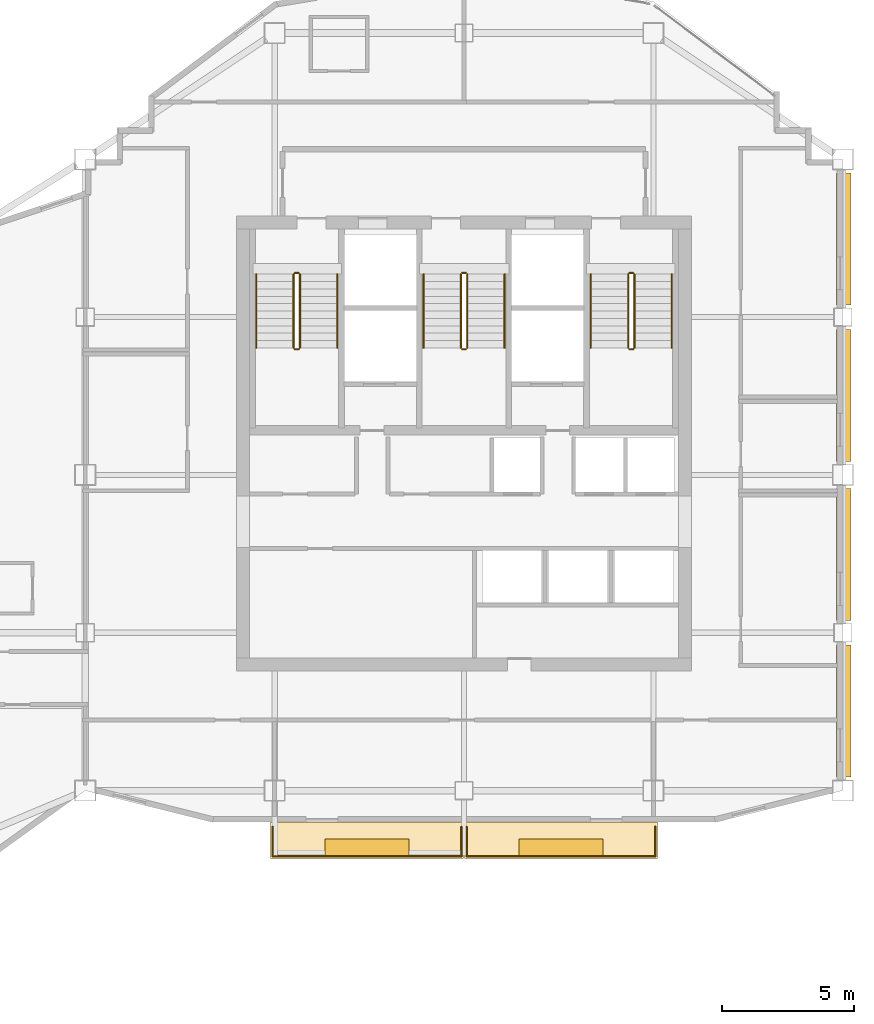
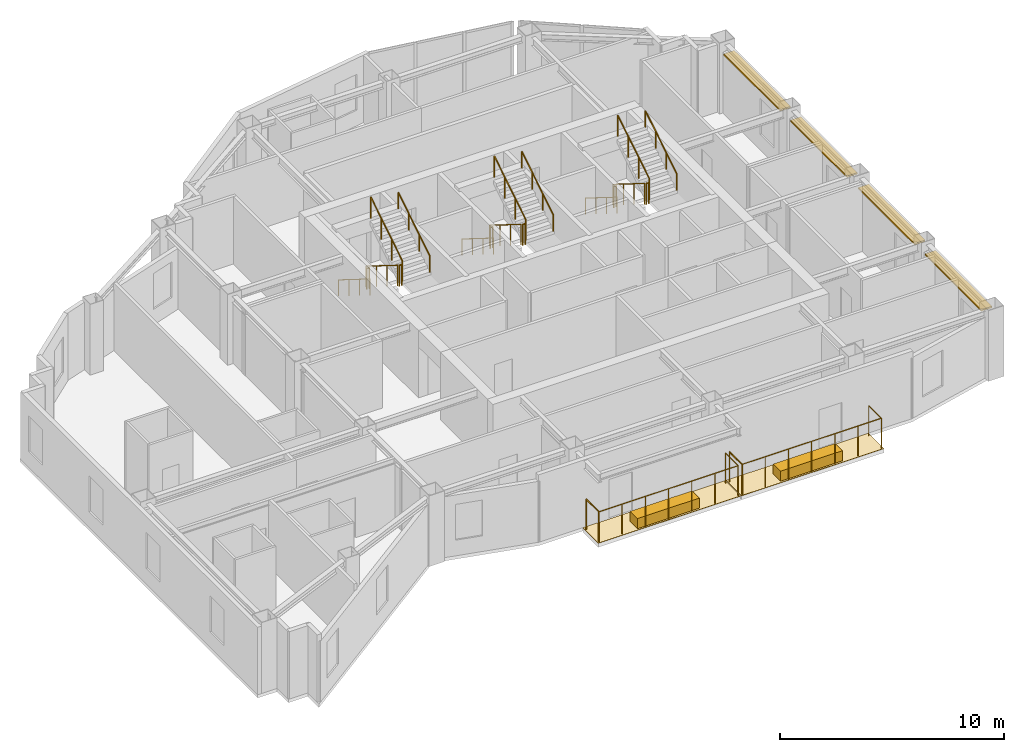
# One storey, part 9 of 9: 22 railings, 4 coverings, 4 shading devices.
"""IFC4 building model written with IfcOpenShell, lengths in metres."""

from ifc_helpers import new_model, si_unit, direction, frame, origin, origin_2d, place, context, subcontext, project, spatial, polyline, rectangle, circle, outline, extrude, material, layer, layer_set, type_object, element, save


model = new_model("IFC4")

# Units and contexts
model_context = context("Model", 3, precision=1e-05, world=origin(), true_north=direction((0.0, 1.0)))
body_context = subcontext(model_context, "Body", "Model", "MODEL_VIEW")
ifc_project = project(units=[si_unit("LENGTHUNIT", "METRE"), si_unit("AREAUNIT", "SQUARE_METRE"), si_unit("VOLUMEUNIT", "CUBIC_METRE"), si_unit("PLANEANGLEUNIT", "RADIAN"), si_unit("MASSUNIT", "GRAM", prefix="KILO")], contexts=[model_context])

# Site, building, storey
site_placement = place(None, origin())
site = spatial("IfcSite", under=ifc_project, at=site_placement, CompositionType="ELEMENT")
building_placement = place(site_placement, origin())
building = spatial("IfcBuilding", under=site, at=building_placement, Name="Haolan Belvedere Tower", CompositionType="ELEMENT")
storey_placement = place(building_placement, frame((0.0, 0.0, 239.050048828125)))
storey = spatial("IfcBuildingStorey", under=building, at=storey_placement, Name="L60", CompositionType="ELEMENT", Elevation=239.050048828125)

# Coverings
ifc_material_1 = material(Name="Engineered lightweight planted garden soil substrate", Category="masonry")
ifc_layer_1 = layer(ifc_material_1, 0.550048828125, Name="Engineered lightweight planted garden soil substrate")
ifc_layer_set_1 = layer_set([ifc_layer_1], Name="Engineered lightweight planted garden soil substrate")
covering_type_1 = type_object("IfcCoveringType", Name="COV-PLANT-550", PredefinedType="MEMBRANE", material=ifc_layer_set_1)
for number, where, z_axis, x_axis, name in (
    (1, (34.715087890625, 19.43994140625, 0.0), (0.0, 0.0, 1.0), (1.0, 0.0, 0.0), "L60 structural tree balcony PLANTER box 1"),
    (2, (42.0849609375, 19.43994140625, 0.0), (0.0, 0.0, 1.0), (1.0, 0.0, 0.0), "L60 structural tree balcony PLANTER box 2"),
):
    element("IfcCovering", number, at=place(storey_placement, frame(where, z_axis=z_axis, x_axis=x_axis)), inside=storey, type_object=covering_type_1, Name=name, PredefinedType="MEMBRANE", context=body_context, shape_type="SweptSolid", body=[
        extrude(rectangle(XDim=3.199951171875, YDim=0.64990234375, at=origin_2d()), origin(), (0.0, 0.0, 1.0), 0.550048828125),
    ])
ifc_material_2 = material(Name="Elastomeric waterproof roofing membrane and stone pavers", Category="masonry")
ifc_layer_2 = layer(ifc_material_2, 0.02001953125, Name="Elastomeric waterproof roofing membrane and stone pavers")
ifc_layer_set_2 = layer_set([ifc_layer_2], Name="Elastomeric waterproof roofing membrane and stone pavers")
covering_type_2 = type_object("IfcCoveringType", Name="COV-ROOF-20", PredefinedType="ROOFING", material=ifc_layer_set_2)
covering_1_placement = place(storey_placement, frame((0.0, 0.0, -0.02001953125)))
element("IfcCovering", 3, at=covering_1_placement, inside=storey, type_object=covering_type_2, Name="L60 tree-balcony waterproof membrane 1", PredefinedType="ROOFING", context=body_context, shape_type="SweptSolid", body=[
    extrude(outline(polyline([(31.050048828125, 19.02001953125), (38.3798828125, 19.02001953125), (38.3798828125, 20.39990234375), (31.050048828125, 20.39990234375), (31.050048828125, 19.02001953125)])), origin(), (0.0, 0.0, 1.0), 0.02001953125),
])
covering_2_placement = place(storey_placement, frame((0.0, 0.0, -0.02001953125)))
element("IfcCovering", 4, at=covering_2_placement, inside=storey, type_object=covering_type_2, Name="L60 tree-balcony waterproof membrane 2", PredefinedType="ROOFING", context=body_context, shape_type="SweptSolid", body=[
    extrude(outline(polyline([(38.419921875, 19.02001953125), (45.75, 19.02001953125), (45.75, 20.39990234375), (38.419921875, 20.39990234375), (38.419921875, 19.02001953125)])), origin(), (0.0, 0.0, 1.0), 0.02001953125),
])

# Railings
ifc_material_3 = material(Name="Brushed stainless steel 304", Category="steel")
railing_type_1 = type_object("IfcRailingType", Name="RL-STAIR-GRD-1150", PredefinedType="GUARDRAIL", material=ifc_material_3)
railing_1_placement = place(storey_placement, frame((31.919921875, 41.22998046875, 0.175048828125)))
element("IfcRailing", 5, at=railing_1_placement, inside=storey, type_object=railing_type_1, Name="L60 ST1 stair guard 1", PredefinedType="GUARDRAIL", context=body_context, shape_type="SweptSolid", body=[
    extrude(circle(Radius=0.02392578125, at=origin_2d()), frame((0.0, 0.0, 1.1259765625), z_axis=(0.0, -0.848002457836, 0.529992293815), x_axis=(1.0, 0.0, 0.0)), (0.0, 0.0, 1.0), 3.302001953125),
    extrude(circle(Radius=0.02099609375, at=origin_2d()), origin(), (0.0, 0.0, 1.0), 1.101806640625),
    extrude(circle(Radius=0.02099609375, at=origin_2d()), frame((0.0, -0.933349609375, 0.583251953125)), (0.0, 0.0, 1.0), 1.101806640625),
    extrude(circle(Radius=0.02099609375, at=origin_2d()), frame((0.0, -1.86669921875, 1.166748046875)), (0.0, 0.0, 1.0), 1.101806640625),
    extrude(circle(Radius=0.02099609375, at=origin_2d()), frame((0.0, -2.800048828125, 1.75)), (0.0, 0.0, 1.0), 1.101806640625),
])
railing_2_placement = place(storey_placement, frame((31.969970703125, 38.3798828125, 1.925048828125)))
element("IfcRailing", 6, at=railing_2_placement, inside=storey, type_object=railing_type_1, Name="L60 ST1 stair guard 2", PredefinedType="GUARDRAIL", context=body_context, shape_type="SweptSolid", body=[
    extrude(circle(Radius=0.02392578125, at=origin_2d()), frame((0.0, 0.0, 1.1259765625), z_axis=(1.0, 0.0, 0.0), x_axis=(0.0, 1.0, 0.0)), (0.0, 0.0, 1.0), 0.14013671875),
    extrude(circle(Radius=0.02099609375, at=origin_2d()), origin(), (0.0, 0.0, 1.0), 1.101806640625),
    extrude(circle(Radius=0.02099609375, at=origin_2d()), frame((0.14013671875, 0.0, 0.0)), (0.0, 0.0, 1.0), 1.101806640625),
])
railing_3_placement = place(storey_placement, frame((32.159912109375, 38.429931640625, 2.099853515625)))
element("IfcRailing", 7, at=railing_3_placement, inside=storey, type_object=railing_type_1, Name="L60 ST1 stair guard 3", PredefinedType="GUARDRAIL", context=body_context, shape_type="SweptSolid", body=[
    extrude(circle(Radius=0.02392578125, at=origin_2d()), frame((0.0, 0.0, 1.1259765625), z_axis=(0.0, 0.848002457836, 0.529992293815), x_axis=(-1.0, 0.0, 0.0)), (0.0, 0.0, 1.0), 3.302001953125),
    extrude(circle(Radius=0.02099609375, at=origin_2d()), origin(), (0.0, 0.0, 1.0), 1.101806640625),
    extrude(circle(Radius=0.02099609375, at=origin_2d()), frame((0.0, 0.933349609375, 0.583251953125)), (0.0, 0.0, 1.0), 1.101806640625),
    extrude(circle(Radius=0.02099609375, at=origin_2d()), frame((0.0, 1.86669921875, 1.166748046875)), (0.0, 0.0, 1.0), 1.101806640625),
    extrude(circle(Radius=0.02099609375, at=origin_2d()), frame((0.0, 2.800048828125, 1.75)), (0.0, 0.0, 1.0), 1.101806640625),
])
railing_4_placement = place(storey_placement, frame((31.969970703125, 41.280029296875, 0.0)))
element("IfcRailing", 8, at=railing_4_placement, inside=storey, type_object=railing_type_1, Name="L60 ST1 stair guard 4", PredefinedType="GUARDRAIL", context=body_context, shape_type="SweptSolid", body=[
    extrude(circle(Radius=0.02392578125, at=origin_2d()), frame((0.0, 0.0, 1.1259765625), z_axis=(1.0, 0.0, 0.0), x_axis=(0.0, 1.0, 0.0)), (0.0, 0.0, 1.0), 0.14013671875),
    extrude(circle(Radius=0.02099609375, at=origin_2d()), origin(), (0.0, 0.0, 1.0), 1.101806640625),
    extrude(circle(Radius=0.02099609375, at=origin_2d()), frame((0.14013671875, 0.0, 0.0)), (0.0, 0.0, 1.0), 1.101806640625),
])
railing_5_placement = place(storey_placement, frame((38.280029296875, 41.22998046875, 0.175048828125)))
element("IfcRailing", 9, at=railing_5_placement, inside=storey, type_object=railing_type_1, Name="L60 ST3 stair guard 1", PredefinedType="GUARDRAIL", context=body_context, shape_type="SweptSolid", body=[
    extrude(circle(Radius=0.02392578125, at=origin_2d()), frame((0.0, 0.0, 1.1259765625), z_axis=(0.0, -0.848002457836, 0.529992293815), x_axis=(1.0, 0.0, 0.0)), (0.0, 0.0, 1.0), 3.302001953125),
    extrude(circle(Radius=0.02099609375, at=origin_2d()), origin(), (0.0, 0.0, 1.0), 1.101806640625),
    extrude(circle(Radius=0.02099609375, at=origin_2d()), frame((0.0, -0.933349609375, 0.583251953125)), (0.0, 0.0, 1.0), 1.101806640625),
    extrude(circle(Radius=0.02099609375, at=origin_2d()), frame((0.0, -1.86669921875, 1.166748046875)), (0.0, 0.0, 1.0), 1.101806640625),
    extrude(circle(Radius=0.02099609375, at=origin_2d()), frame((0.0, -2.800048828125, 1.75)), (0.0, 0.0, 1.0), 1.101806640625),
])
railing_6_placement = place(storey_placement, frame((38.330078125, 38.3798828125, 1.925048828125)))
element("IfcRailing", 10, at=railing_6_placement, inside=storey, type_object=railing_type_1, Name="L60 ST3 stair guard 2", PredefinedType="GUARDRAIL", context=body_context, shape_type="SweptSolid", body=[
    extrude(circle(Radius=0.02392578125, at=origin_2d()), frame((0.0, 0.0, 1.1259765625), z_axis=(1.0, 0.0, 0.0), x_axis=(0.0, 1.0, 0.0)), (0.0, 0.0, 1.0), 0.139892578125),
    extrude(circle(Radius=0.02099609375, at=origin_2d()), origin(), (0.0, 0.0, 1.0), 1.101806640625),
    extrude(circle(Radius=0.02099609375, at=origin_2d()), frame((0.139892578125, 0.0, 0.0)), (0.0, 0.0, 1.0), 1.101806640625),
])
railing_7_placement = place(storey_placement, frame((38.52001953125, 38.429931640625, 2.099853515625)))
element("IfcRailing", 11, at=railing_7_placement, inside=storey, type_object=railing_type_1, Name="L60 ST3 stair guard 3", PredefinedType="GUARDRAIL", context=body_context, shape_type="SweptSolid", body=[
    extrude(circle(Radius=0.02392578125, at=origin_2d()), frame((0.0, 0.0, 1.1259765625), z_axis=(0.0, 0.848002457836, 0.529992293815), x_axis=(-1.0, 0.0, 0.0)), (0.0, 0.0, 1.0), 3.302001953125),
    extrude(circle(Radius=0.02099609375, at=origin_2d()), origin(), (0.0, 0.0, 1.0), 1.101806640625),
    extrude(circle(Radius=0.02099609375, at=origin_2d()), frame((0.0, 0.933349609375, 0.583251953125)), (0.0, 0.0, 1.0), 1.101806640625),
    extrude(circle(Radius=0.02099609375, at=origin_2d()), frame((0.0, 1.86669921875, 1.166748046875)), (0.0, 0.0, 1.0), 1.101806640625),
    extrude(circle(Radius=0.02099609375, at=origin_2d()), frame((0.0, 2.800048828125, 1.75)), (0.0, 0.0, 1.0), 1.101806640625),
])
railing_8_placement = place(storey_placement, frame((38.330078125, 41.280029296875, 0.0)))
element("IfcRailing", 12, at=railing_8_placement, inside=storey, type_object=railing_type_1, Name="L60 ST3 stair guard 4", PredefinedType="GUARDRAIL", context=body_context, shape_type="SweptSolid", body=[
    extrude(circle(Radius=0.02392578125, at=origin_2d()), frame((0.0, 0.0, 1.1259765625), z_axis=(1.0, 0.0, 0.0), x_axis=(0.0, 1.0, 0.0)), (0.0, 0.0, 1.0), 0.139892578125),
    extrude(circle(Radius=0.02099609375, at=origin_2d()), origin(), (0.0, 0.0, 1.0), 1.101806640625),
    extrude(circle(Radius=0.02099609375, at=origin_2d()), frame((0.139892578125, 0.0, 0.0)), (0.0, 0.0, 1.0), 1.101806640625),
])
railing_9_placement = place(storey_placement, frame((44.639892578125, 41.22998046875, 0.175048828125)))
element("IfcRailing", 13, at=railing_9_placement, inside=storey, type_object=railing_type_1, Name="L60 ST2 stair guard 1", PredefinedType="GUARDRAIL", context=body_context, shape_type="SweptSolid", body=[
    extrude(circle(Radius=0.02392578125, at=origin_2d()), frame((0.0, 0.0, 1.1259765625), z_axis=(0.0, -0.848002457836, 0.529992293815), x_axis=(1.0, 0.0, 0.0)), (0.0, 0.0, 1.0), 3.302001953125),
    extrude(circle(Radius=0.02099609375, at=origin_2d()), origin(), (0.0, 0.0, 1.0), 1.101806640625),
    extrude(circle(Radius=0.02099609375, at=origin_2d()), frame((0.0, -0.933349609375, 0.583251953125)), (0.0, 0.0, 1.0), 1.101806640625),
    extrude(circle(Radius=0.02099609375, at=origin_2d()), frame((0.0, -1.86669921875, 1.166748046875)), (0.0, 0.0, 1.0), 1.101806640625),
    extrude(circle(Radius=0.02099609375, at=origin_2d()), frame((0.0, -2.800048828125, 1.75)), (0.0, 0.0, 1.0), 1.101806640625),
])
railing_10_placement = place(storey_placement, frame((44.68994140625, 38.3798828125, 1.925048828125)))
element("IfcRailing", 14, at=railing_10_placement, inside=storey, type_object=railing_type_1, Name="L60 ST2 stair guard 2", PredefinedType="GUARDRAIL", context=body_context, shape_type="SweptSolid", body=[
    extrude(circle(Radius=0.02392578125, at=origin_2d()), frame((0.0, 0.0, 1.1259765625), z_axis=(1.0, 0.0, 0.0), x_axis=(0.0, 1.0, 0.0)), (0.0, 0.0, 1.0), 0.14013671875),
    extrude(circle(Radius=0.02099609375, at=origin_2d()), origin(), (0.0, 0.0, 1.0), 1.101806640625),
    extrude(circle(Radius=0.02099609375, at=origin_2d()), frame((0.14013671875, 0.0, 0.0)), (0.0, 0.0, 1.0), 1.101806640625),
])
railing_11_placement = place(storey_placement, frame((44.8798828125, 38.429931640625, 2.099853515625)))
element("IfcRailing", 15, at=railing_11_placement, inside=storey, type_object=railing_type_1, Name="L60 ST2 stair guard 3", PredefinedType="GUARDRAIL", context=body_context, shape_type="SweptSolid", body=[
    extrude(circle(Radius=0.02392578125, at=origin_2d()), frame((0.0, 0.0, 1.1259765625), z_axis=(0.0, 0.848002457836, 0.529992293815), x_axis=(-1.0, 0.0, 0.0)), (0.0, 0.0, 1.0), 3.302001953125),
    extrude(circle(Radius=0.02099609375, at=origin_2d()), origin(), (0.0, 0.0, 1.0), 1.101806640625),
    extrude(circle(Radius=0.02099609375, at=origin_2d()), frame((0.0, 0.933349609375, 0.583251953125)), (0.0, 0.0, 1.0), 1.101806640625),
    extrude(circle(Radius=0.02099609375, at=origin_2d()), frame((0.0, 1.86669921875, 1.166748046875)), (0.0, 0.0, 1.0), 1.101806640625),
    extrude(circle(Radius=0.02099609375, at=origin_2d()), frame((0.0, 2.800048828125, 1.75)), (0.0, 0.0, 1.0), 1.101806640625),
])
railing_12_placement = place(storey_placement, frame((44.68994140625, 41.280029296875, 0.0)))
element("IfcRailing", 16, at=railing_12_placement, inside=storey, type_object=railing_type_1, Name="L60 ST2 stair guard 4", PredefinedType="GUARDRAIL", context=body_context, shape_type="SweptSolid", body=[
    extrude(circle(Radius=0.02392578125, at=origin_2d()), frame((0.0, 0.0, 1.1259765625), z_axis=(1.0, 0.0, 0.0), x_axis=(0.0, 1.0, 0.0)), (0.0, 0.0, 1.0), 0.14013671875),
    extrude(circle(Radius=0.02099609375, at=origin_2d()), origin(), (0.0, 0.0, 1.0), 1.101806640625),
    extrude(circle(Radius=0.02099609375, at=origin_2d()), frame((0.14013671875, 0.0, 0.0)), (0.0, 0.0, 1.0), 1.101806640625),
])
railing_type_2 = type_object("IfcRailingType", Name="RL-STAIR-HND-900", PredefinedType="HANDRAIL", material=ifc_material_3)
railing_13_placement = place(storey_placement, frame((30.5, 41.22998046875, 0.175048828125)))
element("IfcRailing", 17, at=railing_13_placement, inside=storey, type_object=railing_type_2, Name="L60 ST1 stair handrail 1", PredefinedType="HANDRAIL", context=body_context, shape_type="SweptSolid", body=[
    extrude(circle(Radius=0.02392578125, at=origin_2d()), frame((0.0, 0.0, 0.8759765625), z_axis=(0.0, -0.848002457836, 0.529992293815), x_axis=(1.0, 0.0, 0.0)), (0.0, 0.0, 1.0), 3.302001953125),
    extrude(circle(Radius=0.02099609375, at=origin_2d()), origin(), (0.0, 0.0, 1.0), 0.851806640625),
    extrude(circle(Radius=0.02099609375, at=origin_2d()), frame((0.0, -0.933349609375, 0.583251953125)), (0.0, 0.0, 1.0), 0.851806640625),
    extrude(circle(Radius=0.02099609375, at=origin_2d()), frame((0.0, -1.86669921875, 1.166748046875)), (0.0, 0.0, 1.0), 0.851806640625),
    extrude(circle(Radius=0.02099609375, at=origin_2d()), frame((0.0, -2.800048828125, 1.75)), (0.0, 0.0, 1.0), 0.851806640625),
])
railing_14_placement = place(storey_placement, frame((33.580078125, 38.429931640625, 2.099853515625)))
element("IfcRailing", 18, at=railing_14_placement, inside=storey, type_object=railing_type_2, Name="L60 ST1 stair handrail 2", PredefinedType="HANDRAIL", context=body_context, shape_type="SweptSolid", body=[
    extrude(circle(Radius=0.02392578125, at=origin_2d()), frame((0.0, 0.0, 0.8759765625), z_axis=(0.0, 0.848002457836, 0.529992293815), x_axis=(-1.0, 0.0, 0.0)), (0.0, 0.0, 1.0), 3.302001953125),
    extrude(circle(Radius=0.02099609375, at=origin_2d()), origin(), (0.0, 0.0, 1.0), 0.851806640625),
    extrude(circle(Radius=0.02099609375, at=origin_2d()), frame((0.0, 0.933349609375, 0.583251953125)), (0.0, 0.0, 1.0), 0.851806640625),
    extrude(circle(Radius=0.02099609375, at=origin_2d()), frame((0.0, 1.86669921875, 1.166748046875)), (0.0, 0.0, 1.0), 0.851806640625),
    extrude(circle(Radius=0.02099609375, at=origin_2d()), frame((0.0, 2.800048828125, 1.75)), (0.0, 0.0, 1.0), 0.851806640625),
])
railing_15_placement = place(storey_placement, frame((36.860107421875, 41.22998046875, 0.175048828125)))
element("IfcRailing", 19, at=railing_15_placement, inside=storey, type_object=railing_type_2, Name="L60 ST3 stair handrail 1", PredefinedType="HANDRAIL", context=body_context, shape_type="SweptSolid", body=[
    extrude(circle(Radius=0.02392578125, at=origin_2d()), frame((0.0, 0.0, 0.8759765625), z_axis=(0.0, -0.848002457836, 0.529992293815), x_axis=(1.0, 0.0, 0.0)), (0.0, 0.0, 1.0), 3.302001953125),
    extrude(circle(Radius=0.02099609375, at=origin_2d()), origin(), (0.0, 0.0, 1.0), 0.851806640625),
    extrude(circle(Radius=0.02099609375, at=origin_2d()), frame((0.0, -0.933349609375, 0.583251953125)), (0.0, 0.0, 1.0), 0.851806640625),
    extrude(circle(Radius=0.02099609375, at=origin_2d()), frame((0.0, -1.86669921875, 1.166748046875)), (0.0, 0.0, 1.0), 0.851806640625),
    extrude(circle(Radius=0.02099609375, at=origin_2d()), frame((0.0, -2.800048828125, 1.75)), (0.0, 0.0, 1.0), 0.851806640625),
])
railing_16_placement = place(storey_placement, frame((39.93994140625, 38.429931640625, 2.099853515625)))
element("IfcRailing", 20, at=railing_16_placement, inside=storey, type_object=railing_type_2, Name="L60 ST3 stair handrail 2", PredefinedType="HANDRAIL", context=body_context, shape_type="SweptSolid", body=[
    extrude(circle(Radius=0.02392578125, at=origin_2d()), frame((0.0, 0.0, 0.8759765625), z_axis=(0.0, 0.848002457836, 0.529992293815), x_axis=(-1.0, 0.0, 0.0)), (0.0, 0.0, 1.0), 3.302001953125),
    extrude(circle(Radius=0.02099609375, at=origin_2d()), origin(), (0.0, 0.0, 1.0), 0.851806640625),
    extrude(circle(Radius=0.02099609375, at=origin_2d()), frame((0.0, 0.933349609375, 0.583251953125)), (0.0, 0.0, 1.0), 0.851806640625),
    extrude(circle(Radius=0.02099609375, at=origin_2d()), frame((0.0, 1.86669921875, 1.166748046875)), (0.0, 0.0, 1.0), 0.851806640625),
    extrude(circle(Radius=0.02099609375, at=origin_2d()), frame((0.0, 2.800048828125, 1.75)), (0.0, 0.0, 1.0), 0.851806640625),
])
railing_17_placement = place(storey_placement, frame((43.219970703125, 41.22998046875, 0.175048828125)))
element("IfcRailing", 21, at=railing_17_placement, inside=storey, type_object=railing_type_2, Name="L60 ST2 stair handrail 1", PredefinedType="HANDRAIL", context=body_context, shape_type="SweptSolid", body=[
    extrude(circle(Radius=0.02392578125, at=origin_2d()), frame((0.0, 0.0, 0.8759765625), z_axis=(0.0, -0.848002457836, 0.529992293815), x_axis=(1.0, 0.0, 0.0)), (0.0, 0.0, 1.0), 3.302001953125),
    extrude(circle(Radius=0.02099609375, at=origin_2d()), origin(), (0.0, 0.0, 1.0), 0.851806640625),
    extrude(circle(Radius=0.02099609375, at=origin_2d()), frame((0.0, -0.933349609375, 0.583251953125)), (0.0, 0.0, 1.0), 0.851806640625),
    extrude(circle(Radius=0.02099609375, at=origin_2d()), frame((0.0, -1.86669921875, 1.166748046875)), (0.0, 0.0, 1.0), 0.851806640625),
    extrude(circle(Radius=0.02099609375, at=origin_2d()), frame((0.0, -2.800048828125, 1.75)), (0.0, 0.0, 1.0), 0.851806640625),
])
railing_18_placement = place(storey_placement, frame((46.300048828125, 38.429931640625, 2.099853515625)))
element("IfcRailing", 22, at=railing_18_placement, inside=storey, type_object=railing_type_2, Name="L60 ST2 stair handrail 2", PredefinedType="HANDRAIL", context=body_context, shape_type="SweptSolid", body=[
    extrude(circle(Radius=0.02392578125, at=origin_2d()), frame((0.0, 0.0, 0.8759765625), z_axis=(0.0, 0.848002457836, 0.529992293815), x_axis=(-1.0, 0.0, 0.0)), (0.0, 0.0, 1.0), 3.302001953125),
    extrude(circle(Radius=0.02099609375, at=origin_2d()), origin(), (0.0, 0.0, 1.0), 0.851806640625),
    extrude(circle(Radius=0.02099609375, at=origin_2d()), frame((0.0, 0.933349609375, 0.583251953125)), (0.0, 0.0, 1.0), 0.851806640625),
    extrude(circle(Radius=0.02099609375, at=origin_2d()), frame((0.0, 1.86669921875, 1.166748046875)), (0.0, 0.0, 1.0), 0.851806640625),
    extrude(circle(Radius=0.02099609375, at=origin_2d()), frame((0.0, 2.800048828125, 1.75)), (0.0, 0.0, 1.0), 0.851806640625),
])
ifc_material_4 = material(Name="Anodised aluminium and laminated glass balustrade", Category="aluminium")
railing_type_3 = type_object("IfcRailingType", Name="RL-TER-BAL-1150", PredefinedType="BALUSTRADE", material=ifc_material_4)
railing_19_placement = place(storey_placement, frame((31.1298828125, 19.10009765625, 0.0)))
element("IfcRailing", 23, at=railing_19_placement, inside=storey, type_object=railing_type_3, Name="L60 outdoor perimeter balustrade BAL-L60-1-1", PredefinedType="BALUSTRADE", context=body_context, shape_type="SweptSolid", body=[
    extrude(circle(Radius=0.02392578125, at=origin_2d()), frame((0.0, 0.0, 1.6259765625), z_axis=(0.0, 1.0, 0.0), x_axis=(-1.0, 0.0, 0.0)), (0.0, 0.0, 1.0), 1.119873046875),
    extrude(circle(Radius=0.02099609375, at=origin_2d()), origin(), (0.0, 0.0, 1.0), 1.601806640625),
    extrude(circle(Radius=0.02099609375, at=origin_2d()), frame((0.0, 1.119873046875, 0.0)), (0.0, 0.0, 1.0), 1.601806640625),
])
railing_20_placement = place(storey_placement, frame((38.300048828125, 20.219970703125, 0.0)))
element("IfcRailing", 24, at=railing_20_placement, inside=storey, type_object=railing_type_3, Name="L60 outdoor perimeter balustrade BAL-L60-1-2", PredefinedType="BALUSTRADE", context=body_context, shape_type="SweptSolid", body=[
    extrude(circle(Radius=0.02392578125, at=origin_2d()), frame((0.0, 0.0, 1.6259765625), z_axis=(0.0, -1.0, 0.0), x_axis=(1.0, 0.0, 0.0)), (0.0, 0.0, 1.0), 1.119873046875),
    extrude(circle(Radius=0.02392578125, at=origin_2d()), frame((0.0, -1.119873046875, 1.6259765625), z_axis=(-1.0, 0.0, 0.0), x_axis=(0.0, -1.0, 0.0)), (0.0, 0.0, 1.0), 7.170166015625),
    extrude(circle(Radius=0.02099609375, at=origin_2d()), origin(), (0.0, 0.0, 1.0), 1.601806640625),
    extrude(circle(Radius=0.02099609375, at=origin_2d()), frame((0.0, -1.119873046875, 0.0)), (0.0, 0.0, 1.0), 1.601806640625),
    extrude(circle(Radius=0.02099609375, at=origin_2d()), frame((-1.195068359375, -1.119873046875, 0.0)), (0.0, 0.0, 1.0), 1.601806640625),
    extrude(circle(Radius=0.02099609375, at=origin_2d()), frame((-2.39013671875, -1.119873046875, 0.0)), (0.0, 0.0, 1.0), 1.601806640625),
    extrude(circle(Radius=0.02099609375, at=origin_2d()), frame((-3.5849609375, -1.119873046875, 0.0)), (0.0, 0.0, 1.0), 1.601806640625),
    extrude(circle(Radius=0.02099609375, at=origin_2d()), frame((-4.780029296875, -1.119873046875, 0.0)), (0.0, 0.0, 1.0), 1.601806640625),
    extrude(circle(Radius=0.02099609375, at=origin_2d()), frame((-5.97509765625, -1.119873046875, 0.0)), (0.0, 0.0, 1.0), 1.601806640625),
    extrude(circle(Radius=0.02099609375, at=origin_2d()), frame((-7.170166015625, -1.119873046875, 0.0)), (0.0, 0.0, 1.0), 1.601806640625),
])
railing_21_placement = place(storey_placement, frame((38.5, 19.10009765625, 0.0)))
element("IfcRailing", 25, at=railing_21_placement, inside=storey, type_object=railing_type_3, Name="L60 outdoor perimeter balustrade BAL-L60-2-1", PredefinedType="BALUSTRADE", context=body_context, shape_type="SweptSolid", body=[
    extrude(circle(Radius=0.02392578125, at=origin_2d()), frame((0.0, 0.0, 1.6259765625), z_axis=(0.0, 1.0, 0.0), x_axis=(-1.0, 0.0, 0.0)), (0.0, 0.0, 1.0), 1.119873046875),
    extrude(circle(Radius=0.02099609375, at=origin_2d()), origin(), (0.0, 0.0, 1.0), 1.601806640625),
    extrude(circle(Radius=0.02099609375, at=origin_2d()), frame((0.0, 1.119873046875, 0.0)), (0.0, 0.0, 1.0), 1.601806640625),
])
railing_22_placement = place(storey_placement, frame((45.669921875, 20.219970703125, 0.0)))
element("IfcRailing", 26, at=railing_22_placement, inside=storey, type_object=railing_type_3, Name="L60 outdoor perimeter balustrade BAL-L60-2-2", PredefinedType="BALUSTRADE", context=body_context, shape_type="SweptSolid", body=[
    extrude(circle(Radius=0.02392578125, at=origin_2d()), frame((0.0, 0.0, 1.6259765625), z_axis=(0.0, -1.0, 0.0), x_axis=(1.0, 0.0, 0.0)), (0.0, 0.0, 1.0), 1.119873046875),
    extrude(circle(Radius=0.02392578125, at=origin_2d()), frame((0.0, -1.119873046875, 1.6259765625), z_axis=(-1.0, 0.0, 0.0), x_axis=(0.0, -1.0, 0.0)), (0.0, 0.0, 1.0), 7.169921875),
    extrude(circle(Radius=0.02099609375, at=origin_2d()), origin(), (0.0, 0.0, 1.0), 1.601806640625),
    extrude(circle(Radius=0.02099609375, at=origin_2d()), frame((0.0, -1.119873046875, 0.0)), (0.0, 0.0, 1.0), 1.601806640625),
    extrude(circle(Radius=0.02099609375, at=origin_2d()), frame((-1.195068359375, -1.119873046875, 0.0)), (0.0, 0.0, 1.0), 1.601806640625),
    extrude(circle(Radius=0.02099609375, at=origin_2d()), frame((-2.389892578125, -1.119873046875, 0.0)), (0.0, 0.0, 1.0), 1.601806640625),
    extrude(circle(Radius=0.02099609375, at=origin_2d()), frame((-3.5849609375, -1.119873046875, 0.0)), (0.0, 0.0, 1.0), 1.601806640625),
    extrude(circle(Radius=0.02099609375, at=origin_2d()), frame((-4.780029296875, -1.119873046875, 0.0)), (0.0, 0.0, 1.0), 1.601806640625),
    extrude(circle(Radius=0.02099609375, at=origin_2d()), frame((-5.974853515625, -1.119873046875, 0.0)), (0.0, 0.0, 1.0), 1.601806640625),
    extrude(circle(Radius=0.02099609375, at=origin_2d()), frame((-7.169921875, -1.119873046875, 0.0)), (0.0, 0.0, 1.0), 1.601806640625),
])

# Shading devices
ifc_material_5 = material(Name="Anodised champagne-silver aluminium 6063-T6", Category="aluminium")
ifc_layer_3 = layer(ifc_material_5, 0.080078125, Name="Anodised champagne-silver aluminium 6063-T6")
ifc_layer_set_3 = layer_set([ifc_layer_3], Name="Anodised champagne-silver aluminium 6063-T6")
shading_device_type = type_object("IfcShadingDeviceType", Name="SHD-SUN-550", PredefinedType="USERDEFINED", material=ifc_layer_set_3)
for number, where, z_axis, x_axis, name in (
    (27, (52.830078125, 24.625, 3.21484375), (0.0, 0.0, 1.0), (0.0, 1.0, 0.0), "L60 pale-metal horizontal SUNSHADE band 3.1"),
    (28, (52.830078125, 30.574951171875, 3.21484375), (0.0, 0.0, 1.0), (0.0, 1.0, 0.0), "L60 pale-metal horizontal SUNSHADE band 3.2"),
    (29, (52.830078125, 36.625, 3.21484375), (0.0, 0.0, 1.0), (0.0, 1.0, 0.0), "L60 pale-metal horizontal SUNSHADE band 3.3"),
    (30, (52.830078125, 42.574951171875, 3.21484375), (0.0, 0.0, 1.0), (0.0, 1.0, 0.0), "L60 pale-metal horizontal SUNSHADE band 3.4"),
):
    element("IfcShadingDevice", number, at=place(storey_placement, frame(where, z_axis=z_axis, x_axis=x_axis)), inside=storey, type_object=shading_device_type, Name=name, ObjectType="SUNSHADE", PredefinedType="USERDEFINED", context=body_context, shape_type="SweptSolid", body=[
        extrude(rectangle(XDim=5.02587890625, YDim=0.550048828125, at=origin_2d()), origin(), (0.0, 0.0, 1.0), 0.080078125),
    ])

save(model, "model.ifc")
